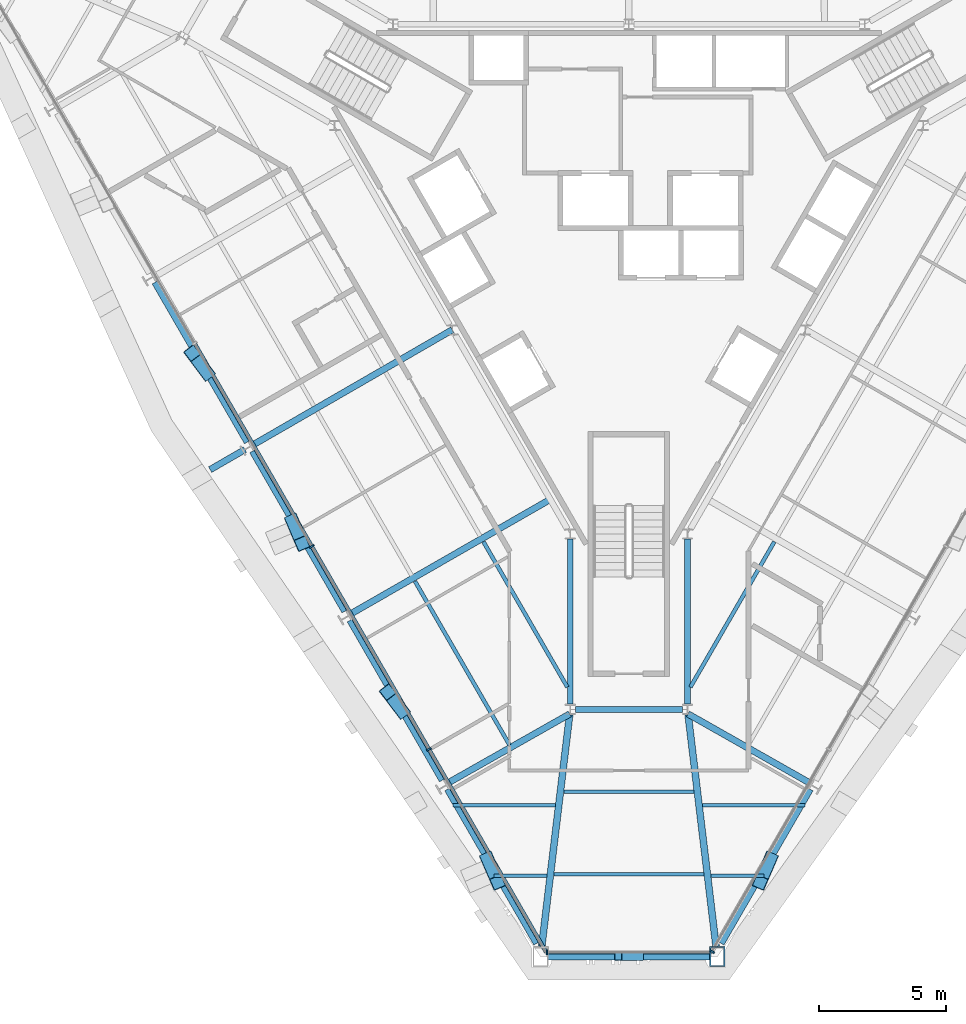
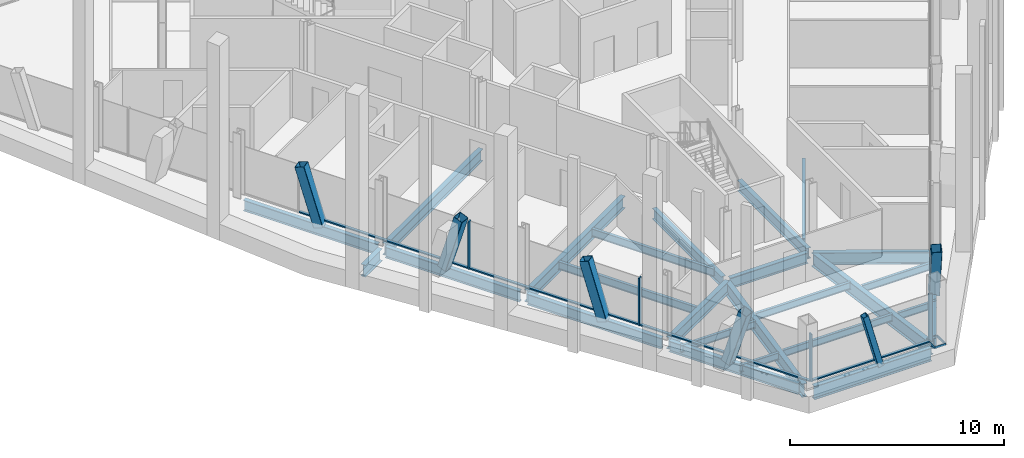
# One storey, part 2 of 13: 25 beams, 15 members, 3 elements without a shape of their own.
"""IFC4 building model written with IfcOpenShell, lengths in metres."""

from ifc_helpers import new_model, si_unit, direction, frame, origin, origin_2d, place, context, subcontext, project, spatial, rectangle, hollow_rectangle, i_section, extrude, material, material_profile, profile_set, type_object, element, aggregate, save


model = new_model("IFC4")

# Units and contexts
model_context = context("Model", 3, precision=1e-05, world=origin(), true_north=direction((0.0, 1.0)))
body_context = subcontext(model_context, "Body", "Model", "MODEL_VIEW")
ifc_project = project(units=[si_unit("LENGTHUNIT", "METRE"), si_unit("AREAUNIT", "SQUARE_METRE"), si_unit("VOLUMEUNIT", "CUBIC_METRE"), si_unit("PLANEANGLEUNIT", "RADIAN"), si_unit("MASSUNIT", "GRAM", prefix="KILO")], contexts=[model_context])

# Site, building, storey
site_placement = place(None, origin())
site = spatial("IfcSite", under=ifc_project, at=site_placement, CompositionType="ELEMENT")
building_placement = place(site_placement, origin())
building = spatial("IfcBuilding", under=site, at=building_placement, Name="Verrane Prism Tower", CompositionType="ELEMENT")
storey_placement = place(building_placement, frame((0.0, 0.0, 159.89990234375)))
storey = spatial("IfcBuildingStorey", under=building, at=storey_placement, Name="L39", CompositionType="ELEMENT", Elevation=159.89990234375)

# Member
ifc_material_1 = material(Name="Steel A500 Grade C", Category="steel")
ifc_material_profile_1 = material_profile(ifc_material_1, hollow_rectangle(XDim=0.3046875, YDim=0.3046875, WallThickness=0.0126953125, InnerFilletRadius=0.00634765625, OuterFilletRadius=0.01904296875, at=origin_2d()), Name="HSS12x12x1/2")
ifc_profile_set_1 = profile_set([ifc_material_profile_1], Name="Steel A500 Grade C")
member_type_1 = type_object("IfcMemberType", Name="Chamfer brace HSS12x12x1/2", PredefinedType="BRACE", material=ifc_profile_set_1)
member_1_placement = place(storey_placement, frame((0.41650390625, -28.610107421875, -0.242431640625), z_axis=(-0.258871345449, 0.0, 0.965911810936), x_axis=(0.0, -1.0, 0.0)))
element("IfcMember", 1, at=member_1_placement, inside=storey, type_object=member_type_1, Name="Chamfer brace S0 L39", PredefinedType="BRACE", context=body_context, shape_type="SweptSolid", body=[
    extrude(hollow_rectangle(XDim=0.3046875, YDim=0.3046875, WallThickness=0.0126953125, InnerFilletRadius=0.00634765625, OuterFilletRadius=0.01904296875, at=origin_2d()), origin(), (0.0, 0.0, 1.0), 3.2177734375),
])

# Beams
ifc_material_2 = material(Name="Steel A992", Category="steel")
ifc_material_profile_2 = material_profile(ifc_material_2, i_section(OverallWidth=0.2666015625, OverallDepth=0.7568359375, WebThickness=0.013916015625, FlangeThickness=0.019287109375, FilletRadius=0.0166015625, at=origin_2d()), Name="W30x108")
ifc_profile_set_2 = profile_set([ifc_material_profile_2], Name="Steel A992")
beam_type_1 = type_object("IfcBeamType", Name="Chamfer spandrel beam W30x108", PredefinedType="SPANDREL", material=ifc_profile_set_2)
beam_1_placement = place(storey_placement, frame((-3.169921875, -28.610107421875, -0.538330078125), z_axis=(1.0, 0.0, 0.0), x_axis=(0.0, 1.0, 0.0)))
element("IfcBeam", 2, at=beam_1_placement, inside=storey, type_object=beam_type_1, Name="Chamfer spandrel beam L39", PredefinedType="SPANDREL", context=body_context, shape_type="SweptSolid", body=[
    extrude(i_section(OverallWidth=0.2666015625, OverallDepth=0.7568359375, WebThickness=0.013916015625, FlangeThickness=0.019287109375, FilletRadius=0.0166015625, at=origin_2d()), origin(), (0.0, 0.0, 1.0), 6.33984375),
])
ifc_material_3 = material(Name="Steel A992", Category="steel")
ifc_material_profile_3 = material_profile(ifc_material_3, i_section(OverallWidth=0.23046875, OverallDepth=0.6171875, WebThickness=0.01318359375, FlangeThickness=0.022216796875, FilletRadius=0.012939453125, at=origin_2d()), Name="W24x94")
ifc_profile_set_3 = profile_set([ifc_material_profile_3], Name="Steel A992")
beam_type_2 = type_object("IfcBeamType", Name="Core ring girder W24x94", PredefinedType="BEAM", material=ifc_profile_set_3)
beam_2_placement = place(storey_placement, frame((-2.300048828125, -12.219482421875, -0.55859375), z_axis=(0.0, -1.0, 0.0), x_axis=(1.0, 0.0, 0.0)))
element("IfcBeam", 3, at=beam_2_placement, inside=storey, type_object=beam_type_2, Name="Core ring girder L39", PredefinedType="BEAM", context=body_context, shape_type="SweptSolid", body=[
    extrude(i_section(OverallWidth=0.23046875, OverallDepth=0.6171875, WebThickness=0.01318359375, FlangeThickness=0.022216796875, FilletRadius=0.012939453125, at=origin_2d()), origin(), (0.0, 0.0, 1.0), 6.47216796875),
])
beam_3_placement = place(storey_placement, frame((-2.0966796875, -18.89990234375, -0.55859375), z_axis=(1.0, 0.0, 0.0), x_axis=(0.0, 1.0, 0.0)))
element("IfcBeam", 4, at=beam_3_placement, inside=storey, type_object=beam_type_2, Name="Core ring girder L39", PredefinedType="BEAM", context=body_context, shape_type="SweptSolid", body=[
    extrude(i_section(OverallWidth=0.23046875, OverallDepth=0.6171875, WebThickness=0.01318359375, FlangeThickness=0.022216796875, FilletRadius=0.012939453125, at=origin_2d()), origin(), (0.0, 0.0, 1.0), 4.193359375),
])
beam_4_placement = place(storey_placement, frame((2.300048828125, -18.691650390625, -0.55859375), z_axis=(0.0, 1.0, 0.0), x_axis=(-1.0, 0.0, 0.0)))
element("IfcBeam", 5, at=beam_4_placement, inside=storey, type_object=beam_type_2, Name="Core ring girder L39", PredefinedType="BEAM", context=body_context, shape_type="SweptSolid", body=[
    extrude(i_section(OverallWidth=0.23046875, OverallDepth=0.6171875, WebThickness=0.01318359375, FlangeThickness=0.022216796875, FilletRadius=0.012939453125, at=origin_2d()), origin(), (0.0, 0.0, 1.0), 6.47216796875),
])
ifc_material_4 = material(Name="Steel A992", Category="steel")
ifc_material_profile_4 = material_profile(ifc_material_4, i_section(OverallWidth=0.2666015625, OverallDepth=0.76708984375, WebThickness=0.014892578125, FlangeThickness=0.023681640625, FilletRadius=0.0166015625, at=origin_2d()), Name="W30x124")
ifc_profile_set_4 = profile_set([ifc_material_profile_4], Name="Steel A992")
beam_type_3 = type_object("IfcBeamType", Name="Corner girder W30x124", PredefinedType="BEAM", material=ifc_profile_set_4)
for number, where, z_axis, x_axis, name in (
    (6, (-3.421875, -28.2099609375, -0.603515625), (0.119628268268, 0.992818753565, 0.0), (-0.992818753565, 0.119628268268, 0.0), "Corner girder L39"),
    (7, (3.421875, -28.2099609375, -0.603515625), (-0.119628268268, 0.992818753565, 0.0), (-0.992818753565, -0.119628268268, 0.0), "Corner girder L39"),
):
    element("IfcBeam", number, at=place(storey_placement, frame(where, z_axis=z_axis, x_axis=x_axis)), inside=storey, type_object=beam_type_3, Name=name, PredefinedType="BEAM", context=body_context, shape_type="SweptSolid", body=[
        extrude(i_section(OverallWidth=0.2666015625, OverallDepth=0.76708984375, WebThickness=0.014892578125, FlangeThickness=0.023681640625, FilletRadius=0.0166015625, at=origin_2d()), origin(), (0.0, 0.0, 1.0), 9.16748046875),
    ])

# Members
ifc_material_5 = material(Name="Steel A500 Grade C", Category="steel")
ifc_material_profile_5 = material_profile(ifc_material_5, hollow_rectangle(XDim=0.508056640625, YDim=0.508056640625, WallThickness=0.01904296875, InnerFilletRadius=0.009521484375, OuterFilletRadius=0.028564453125, at=origin_2d()), Name="HSS20x20x3/4")
ifc_profile_set_5 = profile_set([ifc_material_profile_5], Name="Steel A500 Grade C")
member_type_2 = type_object("IfcMemberType", Name="Facade brace HSS20x20x3/4", PredefinedType="BRACE", material=ifc_profile_set_5)
member_2_placement = place(storey_placement, frame((-16.568603515625, -5.685546875, -0.216552734375), z_axis=(-0.173124128066, 0.230759030016, 0.957485407903), x_axis=(-0.799908717483, -0.600121690739, 0.0)))
element("IfcMember", 8, at=member_2_placement, inside=storey, type_object=member_type_2, Name="Facade brace SW2 L39", PredefinedType="BRACE", context=body_context, shape_type="SweptSolid", body=[
    extrude(hollow_rectangle(XDim=0.508056640625, YDim=0.508056640625, WallThickness=0.01904296875, InnerFilletRadius=0.009521484375, OuterFilletRadius=0.028564453125, at=origin_2d()), origin(), (0.0, 0.0, 1.0), 3.337890625),
])
member_3_placement = place(storey_placement, frame((-13.2109375, -11.50341796875, -0.216552734375), z_axis=(0.113065876983, -0.265697497465, 0.9574032313), x_axis=(0.920150752475, 0.391564289382, 0.0)))
element("IfcMember", 9, at=member_3_placement, inside=storey, type_object=member_type_2, Name="Facade brace SW3 L39", PredefinedType="BRACE", context=body_context, shape_type="SweptSolid", body=[
    extrude(hollow_rectangle(XDim=0.508056640625, YDim=0.508056640625, WallThickness=0.01904296875, InnerFilletRadius=0.009521484375, OuterFilletRadius=0.028564453125, at=origin_2d()), origin(), (0.0, 0.0, 1.0), 3.338134765625),
])
member_4_placement = place(storey_placement, frame((-8.909423828125, -18.95947265625, -0.216552734375), z_axis=(-0.167891824397, 0.221458708929, 0.960608336181), x_axis=(-0.796884131742, -0.604132171447, 0.0)))
element("IfcMember", 10, at=member_4_placement, inside=storey, type_object=member_type_2, Name="Facade brace SW4 L39", PredefinedType="BRACE", context=body_context, shape_type="SweptSolid", body=[
    extrude(hollow_rectangle(XDim=0.508056640625, YDim=0.508056640625, WallThickness=0.01904296875, InnerFilletRadius=0.009521484375, OuterFilletRadius=0.028564453125, at=origin_2d()), origin(), (0.0, 0.0, 1.0), 3.3271484375),
])
for number, where, z_axis, x_axis, name in (
    (11, (-5.552001953125, -24.773681640625, -0.216552734375), (0.118606279303, -0.274245127682, 0.954317641277), (0.917840219514, 0.396950036456, 0.0), "Facade brace SW5 L39"),
    (12, (5.552001953125, -24.773681640625, -0.216552734375), (-0.118606279303, -0.274245127682, 0.954317641277), (0.917840219514, -0.396950036456, 0.0), "Facade brace SE0 L39"),
):
    element("IfcMember", number, at=place(storey_placement, frame(where, z_axis=z_axis, x_axis=x_axis)), inside=storey, type_object=member_type_2, Name=name, PredefinedType="BRACE", context=body_context, shape_type="SweptSolid", body=[
        extrude(hollow_rectangle(XDim=0.508056640625, YDim=0.508056640625, WallThickness=0.01904296875, InnerFilletRadius=0.009521484375, OuterFilletRadius=0.028564453125, at=origin_2d()), origin(), (0.0, 0.0, 1.0), 3.34912109375),
    ])

# Beams
ifc_material_6 = material(Name="Steel A992", Category="steel")
ifc_material_profile_6 = material_profile(ifc_material_6, i_section(OverallWidth=0.140380859375, OverallDepth=0.40380859375, WebThickness=0.007080078125, FlangeThickness=0.01123046875, FilletRadius=0.01025390625, at=origin_2d()), Name="W16x31")
ifc_profile_set_6 = profile_set([ifc_material_profile_6], Name="Steel A992")
beam_type_4 = type_object("IfcBeamType", Name="Floor beam W16x31", PredefinedType="BEAM", material=ifc_profile_set_6)
beam_5_placement = place(storey_placement, frame((-5.30419921875, -25.433349609375, -0.36181640625), z_axis=(1.0, 0.0, 0.0), x_axis=(0.0, 1.0, 0.0)))
element("IfcBeam", 13, at=beam_5_placement, inside=storey, type_object=beam_type_4, Name="Floor beam L39", PredefinedType="BEAM", context=body_context, shape_type="SweptSolid", body=[
    extrude(i_section(OverallWidth=0.140380859375, OverallDepth=0.40380859375, WebThickness=0.007080078125, FlangeThickness=0.01123046875, FilletRadius=0.01025390625, at=origin_2d()), origin(), (0.0, 0.0, 1.0), 2.0830078125),
])
beam_6_placement = place(storey_placement, frame((-6.90771484375, -22.65673828125, -0.36181640625), z_axis=(1.0, 0.0, 0.0), x_axis=(0.0, 1.0, 0.0)))
element("IfcBeam", 14, at=beam_6_placement, inside=storey, type_object=beam_type_4, Name="Floor beam L39", PredefinedType="BEAM", context=body_context, shape_type="SweptSolid", body=[
    extrude(i_section(OverallWidth=0.140380859375, OverallDepth=0.40380859375, WebThickness=0.007080078125, FlangeThickness=0.01123046875, FilletRadius=0.01025390625, at=origin_2d()), origin(), (0.0, 0.0, 1.0), 4.021728515625),
])
beam_7_placement = place(storey_placement, frame((3.22119140625, -25.433349609375, -0.36181640625), z_axis=(1.0, 0.0, 0.0), x_axis=(0.0, 1.0, 0.0)))
element("IfcBeam", 15, at=beam_7_placement, inside=storey, type_object=beam_type_4, Name="Floor beam L39", PredefinedType="BEAM", context=body_context, shape_type="SweptSolid", body=[
    extrude(i_section(OverallWidth=0.140380859375, OverallDepth=0.40380859375, WebThickness=0.007080078125, FlangeThickness=0.01123046875, FilletRadius=0.01025390625, at=origin_2d()), origin(), (0.0, 0.0, 1.0), 2.0830078125),
])
beam_8_placement = place(storey_placement, frame((2.885986328125, -22.65673828125, -0.36181640625), z_axis=(1.0, 0.0, 0.0), x_axis=(0.0, 1.0, 0.0)))
element("IfcBeam", 16, at=beam_8_placement, inside=storey, type_object=beam_type_4, Name="Floor beam L39", PredefinedType="BEAM", context=body_context, shape_type="SweptSolid", body=[
    extrude(i_section(OverallWidth=0.140380859375, OverallDepth=0.40380859375, WebThickness=0.007080078125, FlangeThickness=0.01123046875, FilletRadius=0.01025390625, at=origin_2d()), origin(), (0.0, 0.0, 1.0), 4.021728515625),
])
beam_9_placement = place(storey_placement, frame((-2.945068359375, -25.373291015625, -0.36181640625), z_axis=(1.0, 0.0, 0.0), x_axis=(0.0, 1.0, 0.0)))
element("IfcBeam", 17, at=beam_9_placement, inside=storey, type_object=beam_type_4, Name="Floor beam L39", PredefinedType="BEAM", context=body_context, shape_type="SweptSolid", body=[
    extrude(i_section(OverallWidth=0.140380859375, OverallDepth=0.40380859375, WebThickness=0.007080078125, FlangeThickness=0.01123046875, FilletRadius=0.01025390625, at=origin_2d()), origin(), (0.0, 0.0, 1.0), 5.89013671875),
])
beam_10_placement = place(storey_placement, frame((-2.554443359375, -22.13671875, -0.36181640625), z_axis=(1.0, 0.0, 0.0), x_axis=(0.0, 1.0, 0.0)))
element("IfcBeam", 18, at=beam_10_placement, inside=storey, type_object=beam_type_4, Name="Floor beam L39", PredefinedType="BEAM", context=body_context, shape_type="SweptSolid", body=[
    extrude(i_section(OverallWidth=0.140380859375, OverallDepth=0.40380859375, WebThickness=0.007080078125, FlangeThickness=0.01123046875, FilletRadius=0.01025390625, at=origin_2d()), origin(), (0.0, 0.0, 1.0), 5.10888671875),
])
ifc_material_7 = material(Name="Steel A992", Category="steel")
ifc_material_profile_7 = material_profile(ifc_material_7, i_section(OverallWidth=0.15234375, OverallDepth=0.449462890625, WebThickness=0.007568359375, FlangeThickness=0.0107421875, FilletRadius=0.01025390625, at=origin_2d()), Name="W18x35")
ifc_profile_set_7 = profile_set([ifc_material_profile_7], Name="Steel A992")
beam_type_5 = type_object("IfcBeamType", Name="Floor beam W18x35", PredefinedType="BEAM", material=ifc_profile_set_7)
beam_11_placement = place(storey_placement, frame((-2.4150390625, -18.027099609375, -0.384765625), z_axis=(-0.49998322161, 0.866035090576, 0.0), x_axis=(-0.866035090576, -0.49998322161, 0.0)))
element("IfcBeam", 19, at=beam_11_placement, inside=storey, type_object=beam_type_5, Name="Floor beam L39", PredefinedType="BEAM", context=body_context, shape_type="SweptSolid", body=[
    extrude(i_section(OverallWidth=0.15234375, OverallDepth=0.449462890625, WebThickness=0.007568359375, FlangeThickness=0.0107421875, FilletRadius=0.01025390625, at=origin_2d()), origin(), (0.0, 0.0, 1.0), 6.591552734375),
])
beam_12_placement = place(storey_placement, frame((-4.686279296875, -20.299072265625, -0.384765625), z_axis=(-0.500022277658, 0.866012541391, 0.0), x_axis=(-0.866012541391, -0.500022277658, 0.0)))
element("IfcBeam", 20, at=beam_12_placement, inside=storey, type_object=beam_type_5, Name="Floor beam L39", PredefinedType="BEAM", context=body_context, shape_type="SweptSolid", body=[
    extrude(i_section(OverallWidth=0.15234375, OverallDepth=0.449462890625, WebThickness=0.007568359375, FlangeThickness=0.0107421875, FilletRadius=0.01025390625, at=origin_2d()), origin(), (0.0, 0.0, 1.0), 7.424560546875),
])
beam_13_placement = place(storey_placement, frame((2.4150390625, -18.027099609375, -0.384765625), z_axis=(0.49998322161, 0.866035090576, 0.0), x_axis=(-0.866035090576, 0.49998322161, 0.0)))
element("IfcBeam", 21, at=beam_13_placement, inside=storey, type_object=beam_type_5, Name="Floor beam L39", PredefinedType="BEAM", context=body_context, shape_type="SweptSolid", body=[
    extrude(i_section(OverallWidth=0.15234375, OverallDepth=0.449462890625, WebThickness=0.007568359375, FlangeThickness=0.0107421875, FilletRadius=0.01025390625, at=origin_2d()), origin(), (0.0, 0.0, 1.0), 6.591552734375),
])

# Member
ifc_material_8 = material(Name="Steel A572 Grade 50", Category="steel")
ifc_material_profile_8 = material_profile(ifc_material_8, hollow_rectangle(XDim=0.60009765625, YDim=0.800048828125, WallThickness=0.050048828125, at=origin_2d()), Name="BOX 800x600x50")
ifc_profile_set_8 = profile_set([ifc_material_profile_8], Name="Steel A572 Grade 50")
member_type_3 = type_object("IfcMemberType", Name="Kink node BOX 800x600x50", PredefinedType="COLLAR", material=ifc_profile_set_8)
member_5_placement = place(storey_placement, frame((3.46630859375, -28.60400390625, -0.06494140625), z_axis=(0.0, 0.0, 1.0), x_axis=(-1.0, 0.0, 0.0)))
element("IfcMember", 22, at=member_5_placement, inside=storey, type_object=member_type_3, Name="Kink node MC4 L39", PredefinedType="COLLAR", context=body_context, shape_type="SweptSolid", body=[
    extrude(hollow_rectangle(XDim=0.60009765625, YDim=0.800048828125, WallThickness=0.050048828125, at=origin_2d()), origin(), (0.0, 0.0, 1.0), 0.130126953125),
])

# Curtain wall, members
ifc_material_9 = material(Name="Aluminium framed insulated glazing", Category="aluminium")
curtain_wall_type = type_object("IfcCurtainWallType", Name="Curtain wall CW-A 8400 module", PredefinedType="NOTDEFINED", material=ifc_material_9)
curtain_wall_1_placement = place(storey_placement, origin())
curtain_wall_1 = element("IfcCurtainWall", 23, at=curtain_wall_1_placement, inside=storey, type_object=curtain_wall_type, Name="Glazed curtain wall south-west face L39", PredefinedType="NOTDEFINED")
ifc_material_10 = material(Name="Aluminium alloy 6063-T6", Category="aluminium")
ifc_material_profile_9 = material_profile(ifc_material_10, rectangle(XDim=0.199951171875, YDim=0.070068359375, at=origin_2d()), Name="Mullion 70x200 aluminium")
ifc_profile_set_9 = profile_set([ifc_material_profile_9], Name="Aluminium alloy 6063-T6")
member_type_4 = type_object("IfcMemberType", Name="Mullion 70x200 aluminium", PredefinedType="MULLION", material=ifc_profile_set_9)
member_6_placement = place(storey_placement, frame((-12.448974609375, -12.5, 0.0), z_axis=(0.0, 0.0, 1.0), x_axis=(0.86602596468, 0.499999028499, 0.0)))
member_6 = element("IfcMember", 24, at=member_6_placement, type_object=member_type_4, Name="CW39.4 mullion 4", PredefinedType="MULLION", context=body_context, shape_type="SweptSolid", body=[
    extrude(rectangle(XDim=0.199951171875, YDim=0.070068359375, at=origin_2d()), origin(), (0.0, 0.0, 1.0), 2.712890625),
])
member_7_placement = place(storey_placement, frame((-7.84814453125, -20.46875, 0.0), z_axis=(0.0, 0.0, 1.0), x_axis=(0.86602596468, 0.499999028499, 0.0)))
member_7 = element("IfcMember", 25, at=member_7_placement, type_object=member_type_4, Name="CW39.4 mullion 5", PredefinedType="MULLION", context=body_context, shape_type="SweptSolid", body=[
    extrude(rectangle(XDim=0.199951171875, YDim=0.070068359375, at=origin_2d()), origin(), (0.0, 0.0, 1.0), 2.712890625),
])

# Curtain wall, member
curtain_wall_2_placement = place(storey_placement, origin())
curtain_wall_2 = element("IfcCurtainWall", 26, at=curtain_wall_2_placement, inside=storey, type_object=curtain_wall_type, Name="Glazed curtain wall south corner L39", PredefinedType="NOTDEFINED")
member_8_placement = place(storey_placement, frame((-3.21240234375, -28.4375, 0.0), z_axis=(0.0, 0.0, 1.0), x_axis=(0.0, 1.0, 0.0)))
member_8 = element("IfcMember", 27, at=member_8_placement, type_object=member_type_4, Name="CW39.5 mullion 1", PredefinedType="MULLION", context=body_context, shape_type="SweptSolid", body=[
    extrude(rectangle(XDim=0.199951171875, YDim=0.070068359375, at=origin_2d()), origin(), (0.0, 0.0, 1.0), 2.712890625),
])

curtain_wall_3_placement = place(storey_placement, origin())
curtain_wall_3 = element("IfcCurtainWall", 28, at=curtain_wall_3_placement, inside=storey, type_object=curtain_wall_type, Name="Glazed curtain wall south-east face L39", PredefinedType="NOTDEFINED")
member_9_placement = place(storey_placement, frame((3.264892578125, -28.4072265625, 0.0), z_axis=(0.0, 0.0, 1.0), x_axis=(-0.86602596468, 0.499999028499, 0.0)))
member_9 = element("IfcMember", 29, at=member_9_placement, type_object=member_type_4, Name="CW39.6 mullion 1", PredefinedType="MULLION", context=body_context, shape_type="SweptSolid", body=[
    extrude(rectangle(XDim=0.199951171875, YDim=0.070068359375, at=origin_2d()), origin(), (0.0, 0.0, 1.0), 2.712890625),
])
aggregate(curtain_wall_3, [member_9])

# Beams
ifc_material_11 = material(Name="Steel A992", Category="steel")
ifc_material_profile_10 = material_profile(ifc_material_11, i_section(OverallWidth=0.25390625, OverallDepth=0.683349609375, WebThickness=0.012451171875, FlangeThickness=0.01904296875, FilletRadius=0.01513671875, at=origin_2d()), Name="W27x94")
ifc_profile_set_10 = profile_set([ifc_material_profile_10], Name="Steel A992")
beam_type_6 = type_object("IfcBeamType", Name="Radial girder W27x94", PredefinedType="BEAM", material=ifc_profile_set_10)
beam_14_placement = place(storey_placement, frame((-14.701416015625, -8.483642578125, -0.5615234375), z_axis=(0.866010671214, 0.500025516692, 0.0), x_axis=(-0.500025516692, 0.866010671214, 0.0)))
element("IfcBeam", 30, at=beam_14_placement, inside=storey, type_object=beam_type_6, Name="Radial girder L39", PredefinedType="BEAM", context=body_context, shape_type="SweptSolid", body=[
    extrude(i_section(OverallWidth=0.25390625, OverallDepth=0.683349609375, WebThickness=0.012451171875, FlangeThickness=0.01904296875, FilletRadius=0.01513671875, at=origin_2d()), origin(), (0.0, 0.0, 1.0), 8.97216796875),
])
beam_15_placement = place(storey_placement, frame((-10.87255859375, -15.12451171875, -0.5615234375), z_axis=(0.867240483121, 0.497889490184, 0.0), x_axis=(-0.497889490184, 0.867240483121, 0.0)))
element("IfcBeam", 31, at=beam_15_placement, inside=storey, type_object=beam_type_6, Name="Radial girder L39", PredefinedType="BEAM", context=body_context, shape_type="SweptSolid", body=[
    extrude(i_section(OverallWidth=0.25390625, OverallDepth=0.683349609375, WebThickness=0.012451171875, FlangeThickness=0.01904296875, FilletRadius=0.01513671875, at=origin_2d()), origin(), (0.0, 0.0, 1.0), 8.976318359375),
])
for number, where, z_axis, x_axis, name in (
    (32, (-7.043701171875, -21.757080078125, -0.5615234375), (0.869923776299, 0.493186195498, 0.0), (-0.493186195498, 0.869923776299, 0.0), "Radial girder L39"),
    (33, (7.043701171875, -21.757080078125, -0.5615234375), (-0.869923776299, 0.493186195498, 0.0), (-0.493186195498, -0.869923776299, 0.0), "Radial girder L39"),
):
    element("IfcBeam", number, at=place(storey_placement, frame(where, z_axis=z_axis, x_axis=x_axis)), inside=storey, type_object=beam_type_6, Name=name, PredefinedType="BEAM", context=body_context, shape_type="SweptSolid", body=[
        extrude(i_section(OverallWidth=0.25390625, OverallDepth=0.683349609375, WebThickness=0.012451171875, FlangeThickness=0.01904296875, FilletRadius=0.01513671875, at=origin_2d()), origin(), (0.0, 0.0, 1.0), 5.427978515625),
    ])
beam_16_placement = place(storey_placement, frame((-15.07421875, -8.698486328125, -0.5615234375), z_axis=(-0.865997551747, -0.500048238042, 0.0), x_axis=(0.500048238042, -0.865997551747, 0.0)))
element("IfcBeam", 34, at=beam_16_placement, inside=storey, type_object=beam_type_6, Name="Cantilever girder L39", PredefinedType="BEAM", context=body_context, shape_type="SweptSolid", body=[
    extrude(i_section(OverallWidth=0.25390625, OverallDepth=0.683349609375, WebThickness=0.012451171875, FlangeThickness=0.01904296875, FilletRadius=0.01513671875, at=origin_2d()), origin(), (0.0, 0.0, 1.0), 1.578369140625),
])
ifc_material_12 = material(Name="Steel A992", Category="steel")
ifc_material_profile_11 = material_profile(ifc_material_12, i_section(OverallWidth=0.23046875, OverallDepth=0.6171875, WebThickness=0.01318359375, FlangeThickness=0.022216796875, FilletRadius=0.012939453125, at=origin_2d()), Name="W24x94")
ifc_profile_set_11 = profile_set([ifc_material_profile_11], Name="Steel A992")
beam_type_7 = type_object("IfcBeamType", Name="Spandrel beam W24x94", PredefinedType="SPANDREL", material=ifc_profile_set_11)
beam_17_placement = place(storey_placement, frame((-18.61669921875, -2.14013671875, -0.468505859375), z_axis=(0.50021921565, -0.865898802572, 0.0), x_axis=(0.865898802572, 0.50021921565, 0.0)))
element("IfcBeam", 35, at=beam_17_placement, inside=storey, type_object=beam_type_7, Name="Spandrel beam L39", PredefinedType="SPANDREL", context=body_context, shape_type="SweptSolid", body=[
    extrude(i_section(OverallWidth=0.23046875, OverallDepth=0.6171875, WebThickness=0.01318359375, FlangeThickness=0.022216796875, FilletRadius=0.012939453125, at=origin_2d()), origin(), (0.0, 0.0, 1.0), 7.245849609375),
])
beam_18_placement = place(storey_placement, frame((-14.78662109375, -8.7705078125, -0.468505859375), z_axis=(0.499473778252, -0.866329004962, 0.0), x_axis=(0.866329004962, 0.499473778252, 0.0)))
element("IfcBeam", 36, at=beam_18_placement, inside=storey, type_object=beam_type_7, Name="Spandrel beam L39", PredefinedType="SPANDREL", context=body_context, shape_type="SweptSolid", body=[
    extrude(i_section(OverallWidth=0.23046875, OverallDepth=0.6171875, WebThickness=0.01318359375, FlangeThickness=0.022216796875, FilletRadius=0.012939453125, at=origin_2d()), origin(), (0.0, 0.0, 1.0), 7.253173828125),
])
beam_19_placement = place(storey_placement, frame((-10.9580078125, -15.41064453125, -0.468505859375), z_axis=(0.499929530379, -0.866066085617, 0.0), x_axis=(0.866066085617, 0.499929530379, 0.0)))
element("IfcBeam", 37, at=beam_19_placement, inside=storey, type_object=beam_type_7, Name="Spandrel beam L39", PredefinedType="SPANDREL", context=body_context, shape_type="SweptSolid", body=[
    extrude(i_section(OverallWidth=0.23046875, OverallDepth=0.6171875, WebThickness=0.01318359375, FlangeThickness=0.022216796875, FilletRadius=0.012939453125, at=origin_2d()), origin(), (0.0, 0.0, 1.0), 7.24609375),
])
for number, where, z_axis, x_axis, name in (
    (38, (-7.129638671875, -22.04248046875, -0.468505859375), (0.500211252167, -0.86590340293, 0.0), (0.86590340293, 0.500211252167, 0.0), "Spandrel beam L39"),
    (39, (3.633544921875, -28.094482421875, -0.468505859375), (0.500211252167, 0.86590340293, 0.0), (-0.86590340293, 0.500211252167, 0.0), "Spandrel beam L39"),
):
    element("IfcBeam", number, at=place(storey_placement, frame(where, z_axis=z_axis, x_axis=x_axis)), inside=storey, type_object=beam_type_7, Name=name, PredefinedType="SPANDREL", context=body_context, shape_type="SweptSolid", body=[
        extrude(i_section(OverallWidth=0.23046875, OverallDepth=0.6171875, WebThickness=0.01318359375, FlangeThickness=0.022216796875, FilletRadius=0.012939453125, at=origin_2d()), origin(), (0.0, 0.0, 1.0), 6.9892578125),
    ])

# Member
ifc_material_13 = material(Name="Aluminium alloy 6063-T6", Category="aluminium")
ifc_material_profile_12 = material_profile(ifc_material_13, rectangle(XDim=0.14990234375, YDim=0.070068359375, at=origin_2d()), Name="Transom 70x150 aluminium")
ifc_profile_set_12 = profile_set([ifc_material_profile_12], Name="Aluminium alloy 6063-T6")
member_type_5 = type_object("IfcMemberType", Name="Transom 70x150 aluminium", PredefinedType="USERDEFINED", material=ifc_profile_set_12)
member_10_placement = place(storey_placement, frame((-17.0322265625, -4.561279296875, 0.03515625), z_axis=(0.499997849104, -0.866026645601, 0.0), x_axis=(0.866026645601, 0.499997849104, 0.0)))
member_10 = element("IfcMember", 40, at=member_10_placement, type_object=member_type_5, Name="CW39.4 transom 3", ObjectType="TRANSOM", PredefinedType="USERDEFINED", context=body_context, shape_type="SweptSolid", body=[
    extrude(rectangle(XDim=0.14990234375, YDim=0.070068359375, at=origin_2d()), origin(), (0.0, 0.0, 1.0), 9.1318359375),
])

member_11_placement = place(storey_placement, frame((-12.431396484375, -12.5302734375, 0.03515625), z_axis=(0.500009425886, -0.866019961678, 0.0), x_axis=(0.866019961678, 0.500009425886, 0.0)))
member_11 = element("IfcMember", 41, at=member_11_placement, type_object=member_type_5, Name="CW39.4 transom 4", ObjectType="TRANSOM", PredefinedType="USERDEFINED", context=body_context, shape_type="SweptSolid", body=[
    extrude(rectangle(XDim=0.14990234375, YDim=0.070068359375, at=origin_2d()), origin(), (0.0, 0.0, 1.0), 9.131591796875),
])

member_12_placement = place(storey_placement, frame((-7.83056640625, -20.4990234375, 0.03515625), z_axis=(0.499997575924, -0.866026803321, 0.0), x_axis=(0.866026803321, 0.499997575924, 0.0)))
member_12 = element("IfcMember", 42, at=member_12_placement, type_object=member_type_5, Name="CW39.4 transom 5", ObjectType="TRANSOM", PredefinedType="USERDEFINED", context=body_context, shape_type="SweptSolid", body=[
    extrude(rectangle(XDim=0.14990234375, YDim=0.070068359375, at=origin_2d()), origin(), (0.0, 0.0, 1.0), 9.16650390625),
])

aggregate(curtain_wall_1, [member_6, member_7, member_10, member_11, member_12])

member_13_placement = place(storey_placement, frame((-3.17724609375, -28.4375, 0.03515625), z_axis=(1.0, 0.0, 0.0), x_axis=(0.0, 1.0, 0.0)))
member_13 = element("IfcMember", 43, at=member_13_placement, type_object=member_type_5, Name="CW39.5 transom 1", ObjectType="TRANSOM", PredefinedType="USERDEFINED", context=body_context, shape_type="SweptSolid", body=[
    extrude(rectangle(XDim=0.14990234375, YDim=0.070068359375, at=origin_2d()), origin(), (0.0, 0.0, 1.0), 6.424560546875),
])

aggregate(curtain_wall_2, [member_8, member_13])

save(model, "model.ifc")
